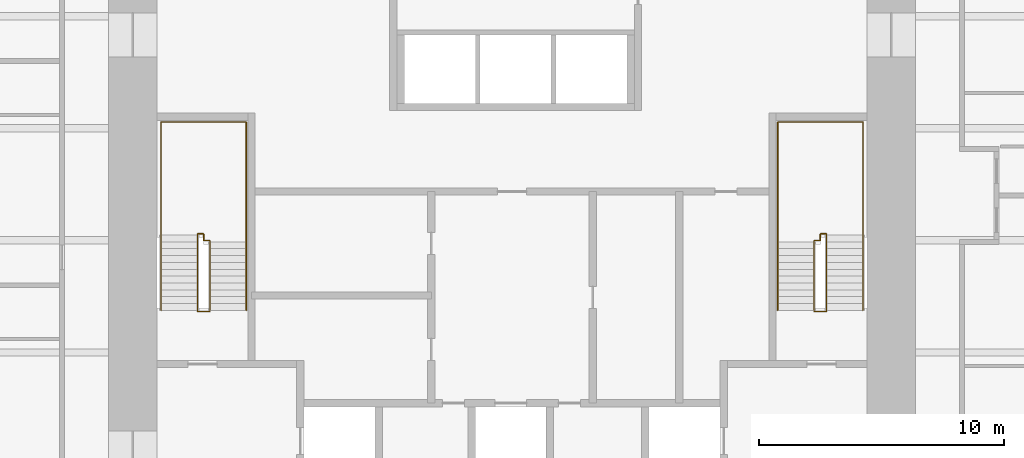
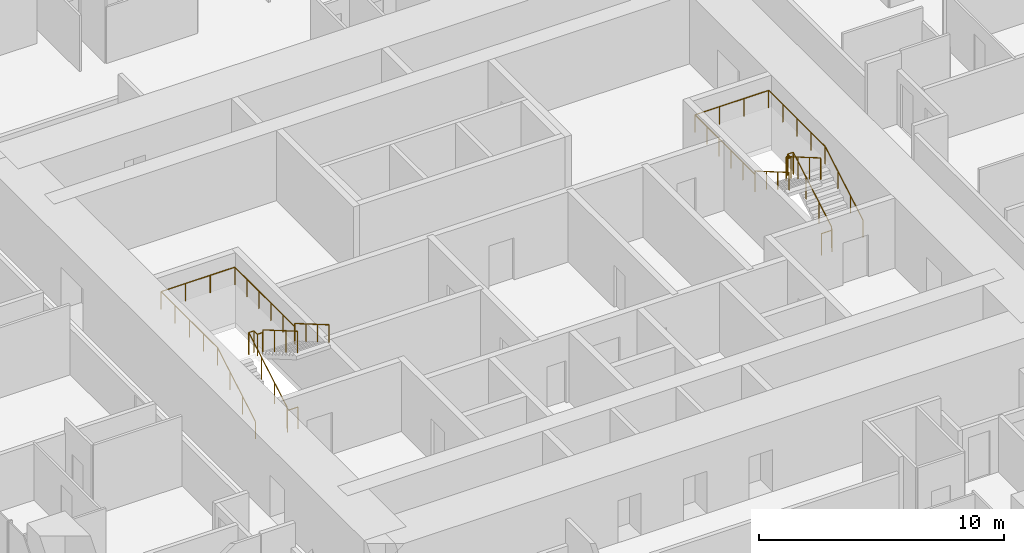
# One storey, part 13 of 13: 4 railings.
"""IFC4 building model written with IfcOpenShell, lengths in metres."""

from ifc_helpers import new_model, si_unit, direction, frame, origin, origin_2d, place, context, subcontext, project, spatial, circle, extrude, material, type_object, element, save


model = new_model("IFC4")

# Units and contexts
model_context = context("Model", 3, precision=1e-05, world=origin(), true_north=direction((0.0, 1.0)))
body_context = subcontext(model_context, "Body", "Model", "MODEL_VIEW")
ifc_project = project(units=[si_unit("LENGTHUNIT", "METRE"), si_unit("AREAUNIT", "SQUARE_METRE"), si_unit("VOLUMEUNIT", "CUBIC_METRE"), si_unit("PLANEANGLEUNIT", "RADIAN"), si_unit("MASSUNIT", "GRAM", prefix="KILO")], contexts=[model_context])

# Site, building, storey
site_placement = place(None, origin())
site = spatial("IfcSite", under=ifc_project, at=site_placement, CompositionType="ELEMENT")
building_placement = place(site_placement, origin())
building = spatial("IfcBuilding", under=site, at=building_placement, Name="Khuree Lantern Residences", CompositionType="ELEMENT")
storey_placement = place(building_placement, frame((0.0, 0.0, 156.0)))
storey = spatial("IfcBuildingStorey", under=building, at=storey_placement, Name="L39", CompositionType="ELEMENT", Elevation=156.0)

# Railings
ifc_material = material(Name="Steel S355", Category="steel")
railing_type_1 = type_object("IfcRailingType", Name="STAIR GUARD G1 1100", PredefinedType="GUARDRAIL", material=ifc_material)
railing_1_placement = place(storey_placement, frame((-12.35009765625, -2.909912109375, 0.0)))
element("IfcRailing", 1, at=railing_1_placement, inside=storey, type_object=railing_type_1, Name="Stair ST1 guard", PredefinedType="GUARDRAIL", context=body_context, shape_type="SweptSolid", body=[
    extrude(circle(Radius=0.02392578125, at=origin_2d()), frame((0.0, 0.0, 1.076171875), z_axis=(-1.0, 0.0, 0.0), x_axis=(0.0, -1.0, 0.0)), (0.0, 0.0, 1.0), 0.5),
    extrude(circle(Radius=0.02392578125, at=origin_2d()), frame((-0.5, 0.0, 1.076171875), z_axis=(0.0, 0.292073035251, 0.95639601739), x_axis=(-1.0, 0.0, 0.0)), (0.0, 0.0, 1.0), 0.17041015625),
    extrude(circle(Radius=0.02392578125, at=origin_2d()), frame((-0.5, 0.0498046875, 1.2392578125), z_axis=(0.0, 0.864176135923, 0.503189433615), x_axis=(-1.0, 0.0, 0.0)), (0.0, 0.0, 1.0), 3.564208984375),
    extrude(circle(Radius=0.02392578125, at=origin_2d()), frame((-0.5, 3.1298828125, 3.03271484375), z_axis=(0.0, 1.0, 0.0), x_axis=(-1.0, 0.0, 0.0)), (0.0, 0.0, 1.0), 0.050048828125),
    extrude(circle(Radius=0.02392578125, at=origin_2d()), frame((-0.5, 3.179931640625, 3.03271484375), z_axis=(1.0, 0.0, 0.0), x_axis=(0.0, 1.0, 0.0)), (0.0, 0.0, 1.0), 0.25),
    extrude(circle(Radius=0.02392578125, at=origin_2d()), frame((-0.25, 3.179931640625, 3.03271484375), z_axis=(0.0, -1.0, 0.0), x_axis=(1.0, 0.0, 0.0)), (0.0, 0.0, 1.0), 0.280029296875),
    extrude(circle(Radius=0.02392578125, at=origin_2d()), frame((-0.25, 2.89990234375, 3.03271484375), z_axis=(1.0, 0.0, 0.0), x_axis=(0.0, 1.0, 0.0)), (0.0, 0.0, 1.0), 0.25),
    extrude(circle(Radius=0.02392578125, at=origin_2d()), frame((0.0, 2.89990234375, 3.03271484375), z_axis=(0.0, -0.293381807449, 0.955995353053), x_axis=(1.0, 0.0, 0.0)), (0.0, 0.0, 1.0), 0.170654296875),
    extrude(circle(Radius=0.02392578125, at=origin_2d()), frame((0.0, 2.849853515625, 3.19580078125), z_axis=(0.0, -0.864180358799, 0.503182181189), x_axis=(1.0, 0.0, 0.0)), (0.0, 0.0, 1.0), 3.240234375),
    extrude(circle(Radius=0.02099609375, at=origin_2d()), origin(), (0.0, 0.0, 1.0), 1.052001953125),
    extrude(circle(Radius=0.02099609375, at=origin_2d()), frame((-0.5, 0.0, 0.0)), (0.0, 0.0, 1.0), 1.052001953125),
    extrude(circle(Radius=0.02099609375, at=origin_2d()), frame((-0.5, 0.0498046875, 0.1630859375)), (0.0, 0.0, 1.0), 1.052001953125),
    extrude(circle(Radius=0.02099609375, at=origin_2d()), frame((-0.5, 1.076416015625, 0.760986328125)), (0.0, 0.0, 1.0), 1.052001953125),
    extrude(circle(Radius=0.02099609375, at=origin_2d()), frame((-0.5, 2.103271484375, 1.358642578125)), (0.0, 0.0, 1.0), 1.052001953125),
    extrude(circle(Radius=0.02099609375, at=origin_2d()), frame((-0.5, 3.1298828125, 1.95654296875)), (0.0, 0.0, 1.0), 1.052001953125),
    extrude(circle(Radius=0.02099609375, at=origin_2d()), frame((-0.5, 3.179931640625, 1.95654296875)), (0.0, 0.0, 1.0), 1.052001953125),
    extrude(circle(Radius=0.02099609375, at=origin_2d()), frame((-0.25, 3.179931640625, 1.95654296875)), (0.0, 0.0, 1.0), 1.052001953125),
    extrude(circle(Radius=0.02099609375, at=origin_2d()), frame((-0.25, 2.89990234375, 1.95654296875)), (0.0, 0.0, 1.0), 1.052001953125),
    extrude(circle(Radius=0.02099609375, at=origin_2d()), frame((0.0, 2.89990234375, 1.95654296875)), (0.0, 0.0, 1.0), 1.052001953125),
    extrude(circle(Radius=0.02099609375, at=origin_2d()), frame((0.0, 2.849853515625, 2.11962890625)), (0.0, 0.0, 1.0), 1.052001953125),
    extrude(circle(Radius=0.02099609375, at=origin_2d()), frame((0.0, 1.91650390625, 2.6630859375)), (0.0, 0.0, 1.0), 1.052001953125),
    extrude(circle(Radius=0.02099609375, at=origin_2d()), frame((0.0, 0.983154296875, 3.20654296875)), (0.0, 0.0, 1.0), 1.052001953125),
    extrude(circle(Radius=0.02099609375, at=origin_2d()), frame((0.0, 0.0498046875, 3.75)), (0.0, 0.0, 1.0), 1.052001953125),
])
railing_2_placement = place(storey_placement, frame((12.35009765625, -2.909912109375, 0.0)))
element("IfcRailing", 2, at=railing_2_placement, inside=storey, type_object=railing_type_1, Name="Stair ST2 guard", PredefinedType="GUARDRAIL", context=body_context, shape_type="SweptSolid", body=[
    extrude(circle(Radius=0.02392578125, at=origin_2d()), frame((0.0, 0.0, 1.076171875), z_axis=(1.0, 0.0, 0.0), x_axis=(0.0, 1.0, 0.0)), (0.0, 0.0, 1.0), 0.5),
    extrude(circle(Radius=0.02392578125, at=origin_2d()), frame((0.5, 0.0, 1.076171875), z_axis=(0.0, 0.292073035251, 0.95639601739), x_axis=(-1.0, 0.0, 0.0)), (0.0, 0.0, 1.0), 0.17041015625),
    extrude(circle(Radius=0.02392578125, at=origin_2d()), frame((0.5, 0.0498046875, 1.2392578125), z_axis=(0.0, 0.864176135923, 0.503189433615), x_axis=(-1.0, 0.0, 0.0)), (0.0, 0.0, 1.0), 3.564208984375),
    extrude(circle(Radius=0.02392578125, at=origin_2d()), frame((0.5, 3.1298828125, 3.03271484375), z_axis=(0.0, 1.0, 0.0), x_axis=(-1.0, 0.0, 0.0)), (0.0, 0.0, 1.0), 0.050048828125),
    extrude(circle(Radius=0.02392578125, at=origin_2d()), frame((0.5, 3.179931640625, 3.03271484375), z_axis=(-1.0, 0.0, 0.0), x_axis=(0.0, -1.0, 0.0)), (0.0, 0.0, 1.0), 0.25),
    extrude(circle(Radius=0.02392578125, at=origin_2d()), frame((0.25, 3.179931640625, 3.03271484375), z_axis=(0.0, -1.0, 0.0), x_axis=(1.0, 0.0, 0.0)), (0.0, 0.0, 1.0), 0.280029296875),
    extrude(circle(Radius=0.02392578125, at=origin_2d()), frame((0.25, 2.89990234375, 3.03271484375), z_axis=(-1.0, 0.0, 0.0), x_axis=(0.0, -1.0, 0.0)), (0.0, 0.0, 1.0), 0.25),
    extrude(circle(Radius=0.02392578125, at=origin_2d()), frame((0.0, 2.89990234375, 3.03271484375), z_axis=(0.0, -0.293381807449, 0.955995353053), x_axis=(1.0, 0.0, 0.0)), (0.0, 0.0, 1.0), 0.170654296875),
    extrude(circle(Radius=0.02392578125, at=origin_2d()), frame((0.0, 2.849853515625, 3.19580078125), z_axis=(0.0, -0.864180358799, 0.503182181189), x_axis=(1.0, 0.0, 0.0)), (0.0, 0.0, 1.0), 3.240234375),
    extrude(circle(Radius=0.02099609375, at=origin_2d()), origin(), (0.0, 0.0, 1.0), 1.052001953125),
    extrude(circle(Radius=0.02099609375, at=origin_2d()), frame((0.5, 0.0, 0.0)), (0.0, 0.0, 1.0), 1.052001953125),
    extrude(circle(Radius=0.02099609375, at=origin_2d()), frame((0.5, 0.0498046875, 0.1630859375)), (0.0, 0.0, 1.0), 1.052001953125),
    extrude(circle(Radius=0.02099609375, at=origin_2d()), frame((0.5, 1.076416015625, 0.760986328125)), (0.0, 0.0, 1.0), 1.052001953125),
    extrude(circle(Radius=0.02099609375, at=origin_2d()), frame((0.5, 2.103271484375, 1.358642578125)), (0.0, 0.0, 1.0), 1.052001953125),
    extrude(circle(Radius=0.02099609375, at=origin_2d()), frame((0.5, 3.1298828125, 1.95654296875)), (0.0, 0.0, 1.0), 1.052001953125),
    extrude(circle(Radius=0.02099609375, at=origin_2d()), frame((0.5, 3.179931640625, 1.95654296875)), (0.0, 0.0, 1.0), 1.052001953125),
    extrude(circle(Radius=0.02099609375, at=origin_2d()), frame((0.25, 3.179931640625, 1.95654296875)), (0.0, 0.0, 1.0), 1.052001953125),
    extrude(circle(Radius=0.02099609375, at=origin_2d()), frame((0.25, 2.89990234375, 1.95654296875)), (0.0, 0.0, 1.0), 1.052001953125),
    extrude(circle(Radius=0.02099609375, at=origin_2d()), frame((0.0, 2.89990234375, 1.95654296875)), (0.0, 0.0, 1.0), 1.052001953125),
    extrude(circle(Radius=0.02099609375, at=origin_2d()), frame((0.0, 2.849853515625, 2.11962890625)), (0.0, 0.0, 1.0), 1.052001953125),
    extrude(circle(Radius=0.02099609375, at=origin_2d()), frame((0.0, 1.91650390625, 2.6630859375)), (0.0, 0.0, 1.0), 1.052001953125),
    extrude(circle(Radius=0.02099609375, at=origin_2d()), frame((0.0, 0.983154296875, 3.20654296875)), (0.0, 0.0, 1.0), 1.052001953125),
    extrude(circle(Radius=0.02099609375, at=origin_2d()), frame((0.0, 0.0498046875, 3.75)), (0.0, 0.0, 1.0), 1.052001953125),
])
railing_type_2 = type_object("IfcRailingType", Name="STAIR HANDRAIL H1 900", PredefinedType="HANDRAIL", material=ifc_material)
railing_3_placement = place(storey_placement, frame((-14.340087890625, -2.860107421875, 0.1630859375)))
element("IfcRailing", 3, at=railing_3_placement, inside=storey, type_object=railing_type_2, Name="Stair ST1 handrail", PredefinedType="HANDRAIL", context=body_context, shape_type="SweptSolid", body=[
    extrude(circle(Radius=0.02392578125, at=origin_2d()), frame((0.0, 0.0, 0.8759765625), z_axis=(0.0, 0.864176135923, 0.503189433615), x_axis=(-1.0, 0.0, 0.0)), (0.0, 0.0, 1.0), 3.564208984375),
    extrude(circle(Radius=0.02392578125, at=origin_2d()), frame((0.0, 3.080078125, 2.66943359375), z_axis=(0.0, 1.0, 0.0), x_axis=(-1.0, 0.0, 0.0)), (0.0, 0.0, 1.0), 4.6201171875),
    extrude(circle(Radius=0.02392578125, at=origin_2d()), frame((0.0, 7.7001953125, 2.66943359375), z_axis=(1.0, 0.0, 0.0), x_axis=(0.0, 1.0, 0.0)), (0.0, 0.0, 1.0), 3.47998046875),
    extrude(circle(Radius=0.02392578125, at=origin_2d()), frame((3.47998046875, 7.7001953125, 2.66943359375), z_axis=(0.0, -1.0, 0.0), x_axis=(1.0, 0.0, 0.0)), (0.0, 0.0, 1.0), 4.900146484375),
    extrude(circle(Radius=0.02392578125, at=origin_2d()), frame((3.47998046875, 2.800048828125, 2.66943359375), z_axis=(0.0, 0.0, 1.0), x_axis=(1.0, 0.0, 0.0)), (0.0, 0.0, 1.0), 0.1630859375),
    extrude(circle(Radius=0.02392578125, at=origin_2d()), frame((3.47998046875, 2.800048828125, 2.83251953125), z_axis=(0.0, -0.864180358799, 0.503182181189), x_axis=(1.0, 0.0, 0.0)), (0.0, 0.0, 1.0), 3.240234375),
    extrude(circle(Radius=0.02099609375, at=origin_2d()), origin(), (0.0, 0.0, 1.0), 0.851806640625),
    extrude(circle(Radius=0.02099609375, at=origin_2d()), frame((0.0, 1.026611328125, 0.597900390625)), (0.0, 0.0, 1.0), 0.851806640625),
    extrude(circle(Radius=0.02099609375, at=origin_2d()), frame((0.0, 2.053466796875, 1.195556640625)), (0.0, 0.0, 1.0), 0.851806640625),
    extrude(circle(Radius=0.02099609375, at=origin_2d()), frame((0.0, 3.080078125, 1.79345703125)), (0.0, 0.0, 1.0), 0.851806640625),
    extrude(circle(Radius=0.02099609375, at=origin_2d()), frame((0.0, 4.235107421875, 1.79345703125)), (0.0, 0.0, 1.0), 0.851806640625),
    extrude(circle(Radius=0.02099609375, at=origin_2d()), frame((0.0, 5.39013671875, 1.79345703125)), (0.0, 0.0, 1.0), 0.851806640625),
    extrude(circle(Radius=0.02099609375, at=origin_2d()), frame((0.0, 6.545166015625, 1.79345703125)), (0.0, 0.0, 1.0), 0.851806640625),
    extrude(circle(Radius=0.02099609375, at=origin_2d()), frame((0.0, 7.7001953125, 1.79345703125)), (0.0, 0.0, 1.0), 0.851806640625),
    extrude(circle(Radius=0.02099609375, at=origin_2d()), frame((1.159912109375, 7.7001953125, 1.79345703125)), (0.0, 0.0, 1.0), 0.851806640625),
    extrude(circle(Radius=0.02099609375, at=origin_2d()), frame((2.320068359375, 7.7001953125, 1.79345703125)), (0.0, 0.0, 1.0), 0.851806640625),
    extrude(circle(Radius=0.02099609375, at=origin_2d()), frame((3.47998046875, 7.7001953125, 1.79345703125)), (0.0, 0.0, 1.0), 0.851806640625),
    extrude(circle(Radius=0.02099609375, at=origin_2d()), frame((3.47998046875, 6.72021484375, 1.79345703125)), (0.0, 0.0, 1.0), 0.851806640625),
    extrude(circle(Radius=0.02099609375, at=origin_2d()), frame((3.47998046875, 5.740234375, 1.79345703125)), (0.0, 0.0, 1.0), 0.851806640625),
    extrude(circle(Radius=0.02099609375, at=origin_2d()), frame((3.47998046875, 4.760009765625, 1.79345703125)), (0.0, 0.0, 1.0), 0.851806640625),
    extrude(circle(Radius=0.02099609375, at=origin_2d()), frame((3.47998046875, 3.780029296875, 1.79345703125)), (0.0, 0.0, 1.0), 0.851806640625),
    extrude(circle(Radius=0.02099609375, at=origin_2d()), frame((3.47998046875, 2.800048828125, 1.79345703125)), (0.0, 0.0, 1.0), 0.851806640625),
    extrude(circle(Radius=0.02099609375, at=origin_2d()), frame((3.47998046875, 2.800048828125, 1.95654296875)), (0.0, 0.0, 1.0), 0.851806640625),
    extrude(circle(Radius=0.02099609375, at=origin_2d()), frame((3.47998046875, 1.86669921875, 2.5)), (0.0, 0.0, 1.0), 0.851806640625),
    extrude(circle(Radius=0.02099609375, at=origin_2d()), frame((3.47998046875, 0.933349609375, 3.04345703125)), (0.0, 0.0, 1.0), 0.851806640625),
    extrude(circle(Radius=0.02099609375, at=origin_2d()), frame((3.47998046875, 0.0, 3.5869140625)), (0.0, 0.0, 1.0), 0.851806640625),
])
railing_4_placement = place(storey_placement, frame((14.340087890625, -2.860107421875, 0.1630859375)))
element("IfcRailing", 4, at=railing_4_placement, inside=storey, type_object=railing_type_2, Name="Stair ST2 handrail", PredefinedType="HANDRAIL", context=body_context, shape_type="SweptSolid", body=[
    extrude(circle(Radius=0.02392578125, at=origin_2d()), frame((0.0, 0.0, 0.8759765625), z_axis=(0.0, 0.864176135923, 0.503189433615), x_axis=(-1.0, 0.0, 0.0)), (0.0, 0.0, 1.0), 3.564208984375),
    extrude(circle(Radius=0.02392578125, at=origin_2d()), frame((0.0, 3.080078125, 2.66943359375), z_axis=(0.0, 1.0, 0.0), x_axis=(-1.0, 0.0, 0.0)), (0.0, 0.0, 1.0), 4.6201171875),
    extrude(circle(Radius=0.02392578125, at=origin_2d()), frame((0.0, 7.7001953125, 2.66943359375), z_axis=(-1.0, 0.0, 0.0), x_axis=(0.0, -1.0, 0.0)), (0.0, 0.0, 1.0), 3.47998046875),
    extrude(circle(Radius=0.02392578125, at=origin_2d()), frame((-3.47998046875, 7.7001953125, 2.66943359375), z_axis=(0.0, -1.0, 0.0), x_axis=(1.0, 0.0, 0.0)), (0.0, 0.0, 1.0), 4.900146484375),
    extrude(circle(Radius=0.02392578125, at=origin_2d()), frame((-3.47998046875, 2.800048828125, 2.66943359375), z_axis=(0.0, 0.0, 1.0), x_axis=(1.0, 0.0, 0.0)), (0.0, 0.0, 1.0), 0.1630859375),
    extrude(circle(Radius=0.02392578125, at=origin_2d()), frame((-3.47998046875, 2.800048828125, 2.83251953125), z_axis=(0.0, -0.864180358799, 0.503182181189), x_axis=(1.0, 0.0, 0.0)), (0.0, 0.0, 1.0), 3.240234375),
    extrude(circle(Radius=0.02099609375, at=origin_2d()), origin(), (0.0, 0.0, 1.0), 0.851806640625),
    extrude(circle(Radius=0.02099609375, at=origin_2d()), frame((0.0, 1.026611328125, 0.597900390625)), (0.0, 0.0, 1.0), 0.851806640625),
    extrude(circle(Radius=0.02099609375, at=origin_2d()), frame((0.0, 2.053466796875, 1.195556640625)), (0.0, 0.0, 1.0), 0.851806640625),
    extrude(circle(Radius=0.02099609375, at=origin_2d()), frame((0.0, 3.080078125, 1.79345703125)), (0.0, 0.0, 1.0), 0.851806640625),
    extrude(circle(Radius=0.02099609375, at=origin_2d()), frame((0.0, 4.235107421875, 1.79345703125)), (0.0, 0.0, 1.0), 0.851806640625),
    extrude(circle(Radius=0.02099609375, at=origin_2d()), frame((0.0, 5.39013671875, 1.79345703125)), (0.0, 0.0, 1.0), 0.851806640625),
    extrude(circle(Radius=0.02099609375, at=origin_2d()), frame((0.0, 6.545166015625, 1.79345703125)), (0.0, 0.0, 1.0), 0.851806640625),
    extrude(circle(Radius=0.02099609375, at=origin_2d()), frame((0.0, 7.7001953125, 1.79345703125)), (0.0, 0.0, 1.0), 0.851806640625),
    extrude(circle(Radius=0.02099609375, at=origin_2d()), frame((-1.159912109375, 7.7001953125, 1.79345703125)), (0.0, 0.0, 1.0), 0.851806640625),
    extrude(circle(Radius=0.02099609375, at=origin_2d()), frame((-2.320068359375, 7.7001953125, 1.79345703125)), (0.0, 0.0, 1.0), 0.851806640625),
    extrude(circle(Radius=0.02099609375, at=origin_2d()), frame((-3.47998046875, 7.7001953125, 1.79345703125)), (0.0, 0.0, 1.0), 0.851806640625),
    extrude(circle(Radius=0.02099609375, at=origin_2d()), frame((-3.47998046875, 6.72021484375, 1.79345703125)), (0.0, 0.0, 1.0), 0.851806640625),
    extrude(circle(Radius=0.02099609375, at=origin_2d()), frame((-3.47998046875, 5.740234375, 1.79345703125)), (0.0, 0.0, 1.0), 0.851806640625),
    extrude(circle(Radius=0.02099609375, at=origin_2d()), frame((-3.47998046875, 4.760009765625, 1.79345703125)), (0.0, 0.0, 1.0), 0.851806640625),
    extrude(circle(Radius=0.02099609375, at=origin_2d()), frame((-3.47998046875, 3.780029296875, 1.79345703125)), (0.0, 0.0, 1.0), 0.851806640625),
    extrude(circle(Radius=0.02099609375, at=origin_2d()), frame((-3.47998046875, 2.800048828125, 1.79345703125)), (0.0, 0.0, 1.0), 0.851806640625),
    extrude(circle(Radius=0.02099609375, at=origin_2d()), frame((-3.47998046875, 2.800048828125, 1.95654296875)), (0.0, 0.0, 1.0), 0.851806640625),
    extrude(circle(Radius=0.02099609375, at=origin_2d()), frame((-3.47998046875, 1.86669921875, 2.5)), (0.0, 0.0, 1.0), 0.851806640625),
    extrude(circle(Radius=0.02099609375, at=origin_2d()), frame((-3.47998046875, 0.933349609375, 3.04345703125)), (0.0, 0.0, 1.0), 0.851806640625),
    extrude(circle(Radius=0.02099609375, at=origin_2d()), frame((-3.47998046875, 0.0, 3.5869140625)), (0.0, 0.0, 1.0), 0.851806640625),
])

save(model, "model.ifc")
